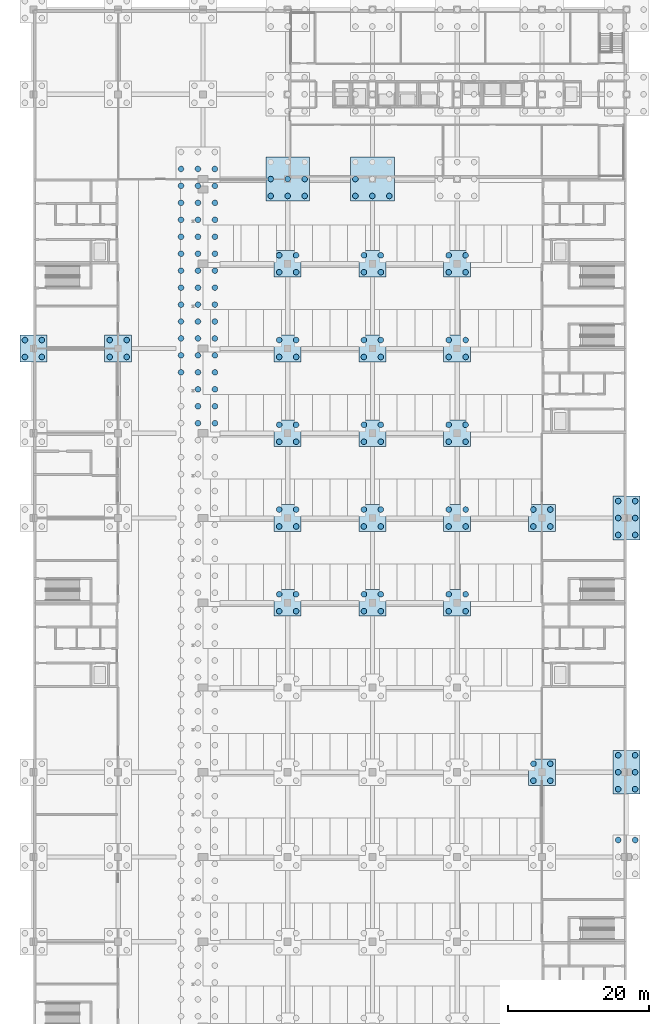
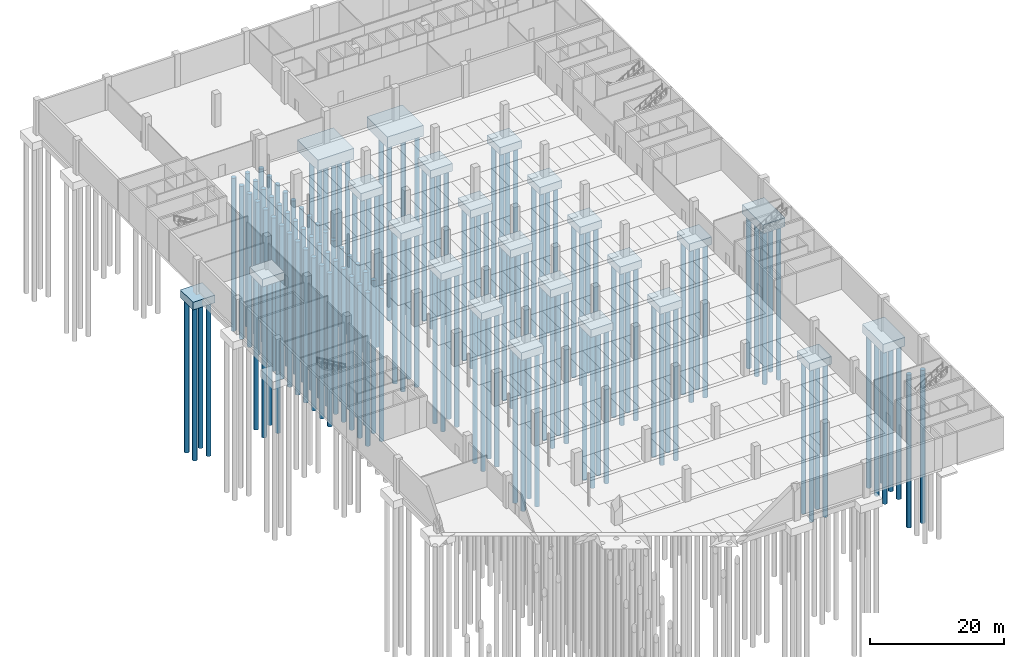
# One storey, part 3 of 34: 145 piles, 23 footings.
"""IFC4 building model written with IfcOpenShell, lengths in metres."""

from ifc_helpers import new_model, si_unit, direction, frame, origin, origin_2d, place, context, subcontext, project, spatial, polyline, circle, outline, extrude, material, layer, layer_set, material_profile, profile_set, type_object, element, save


model = new_model("IFC4")

# Units and contexts
model_context = context("Model", 3, precision=1e-05, world=origin(), true_north=direction((0.0, 1.0)))
body_context = subcontext(model_context, "Body", "Model", "MODEL_VIEW")
ifc_project = project(units=[si_unit("LENGTHUNIT", "METRE"), si_unit("AREAUNIT", "SQUARE_METRE"), si_unit("VOLUMEUNIT", "CUBIC_METRE"), si_unit("PLANEANGLEUNIT", "RADIAN"), si_unit("MASSUNIT", "GRAM", prefix="KILO")], contexts=[model_context])

# Site, building, storey
site_placement = place(None, origin())
site = spatial("IfcSite", under=ifc_project, at=site_placement, CompositionType="ELEMENT")
building_placement = place(site_placement, origin())
building = spatial("IfcBuilding", under=site, at=building_placement, Name="Lilac Gate Convention Centre", CompositionType="ELEMENT")
storey_placement = place(building_placement, frame((0.0, 0.0, -6.0)))
storey = spatial("IfcBuildingStorey", under=building, at=storey_placement, Name="B1", CompositionType="ELEMENT", Elevation=-6.0)

# Piles
ifc_material_1 = material(Name="Concrete C35", Category="concrete")
ifc_material_profile_1 = material_profile(ifc_material_1, circle(Radius=0.39990234375, at=origin_2d()), Name="D800")
ifc_profile_set_1 = profile_set([ifc_material_profile_1], Name="Concrete C35")
pile_type_1 = type_object("IfcPileType", Name="Bored pile D800 L28 C35", PredefinedType="BORED", material=ifc_profile_set_1)
for number, where, z_axis, x_axis, name in (
    (1, (88.800048828125, 128.39990234375, -2.0), (0.0, 0.0, -1.0), (1.0, 0.0, 0.0), "PL1 pile 3 of PC2 at 8/J"),
    (2, (91.199951171875, 128.39990234375, -2.0), (0.0, 0.0, -1.0), (1.0, 0.0, 0.0), "PL1 pile 6 of PC2 at 8/J"),
    (3, (26.89990234375, 194.625, -2.0), (0.0, 0.0, -1.0), (1.0, 0.0, 0.0), "PL1 pile 71 of PC3 at 29.3/126.225"),
    (4, (26.89990234375, 197.02490234375, -2.0), (0.0, 0.0, -1.0), (1.0, 0.0, 0.0), "PL1 pile 72 of PC3 at 29.3/126.225"),
    (5, (26.89990234375, 199.425048828125, -2.0), (0.0, 0.0, -1.0), (1.0, 0.0, 0.0), "PL1 pile 73 of PC3 at 29.3/126.225"),
    (6, (26.89990234375, 201.824951171875, -2.0), (0.0, 0.0, -1.0), (1.0, 0.0, 0.0), "PL1 pile 74 of PC3 at 29.3/126.225"),
    (7, (26.89990234375, 204.22509765625, -2.0), (0.0, 0.0, -1.0), (1.0, 0.0, 0.0), "PL1 pile 75 of PC3 at 29.3/126.225"),
    (8, (26.89990234375, 206.625, -2.0), (0.0, 0.0, -1.0), (1.0, 0.0, 0.0), "PL1 pile 76 of PC3 at 29.3/126.225"),
    (9, (26.89990234375, 209.02490234375, -2.0), (0.0, 0.0, -1.0), (1.0, 0.0, 0.0), "PL1 pile 77 of PC3 at 29.3/126.225"),
    (10, (26.89990234375, 211.425048828125, -2.0), (0.0, 0.0, -1.0), (1.0, 0.0, 0.0), "PL1 pile 78 of PC3 at 29.3/126.225"),
    (11, (26.89990234375, 213.824951171875, -2.0), (0.0, 0.0, -1.0), (1.0, 0.0, 0.0), "PL1 pile 79 of PC3 at 29.3/126.225"),
    (12, (26.89990234375, 216.22509765625, -2.0), (0.0, 0.0, -1.0), (1.0, 0.0, 0.0), "PL1 pile 80 of PC3 at 29.3/126.225"),
    (13, (26.89990234375, 218.625, -2.0), (0.0, 0.0, -1.0), (1.0, 0.0, 0.0), "PL1 pile 81 of PC3 at 29.3/126.225"),
    (14, (26.89990234375, 221.02490234375, -2.0), (0.0, 0.0, -1.0), (1.0, 0.0, 0.0), "PL1 pile 82 of PC3 at 29.3/126.225"),
    (15, (26.89990234375, 223.425048828125, -2.0), (0.0, 0.0, -1.0), (1.0, 0.0, 0.0), "PL1 pile 83 of PC3 at 29.3/126.225"),
    (16, (29.300048828125, 187.425048828125, -2.0), (0.0, 0.0, -1.0), (1.0, 0.0, 0.0), "PL1 pile 152 of PC3 at 29.3/126.225"),
    (17, (29.300048828125, 189.824951171875, -2.0), (0.0, 0.0, -1.0), (1.0, 0.0, 0.0), "PL1 pile 153 of PC3 at 29.3/126.225"),
    (18, (29.300048828125, 192.22509765625, -2.0), (0.0, 0.0, -1.0), (1.0, 0.0, 0.0), "PL1 pile 154 of PC3 at 29.3/126.225"),
    (19, (29.300048828125, 194.625, -2.0), (0.0, 0.0, -1.0), (1.0, 0.0, 0.0), "PL1 pile 155 of PC3 at 29.3/126.225"),
    (20, (29.300048828125, 197.02490234375, -2.0), (0.0, 0.0, -1.0), (1.0, 0.0, 0.0), "PL1 pile 156 of PC3 at 29.3/126.225"),
    (21, (29.300048828125, 199.425048828125, -2.0), (0.0, 0.0, -1.0), (1.0, 0.0, 0.0), "PL1 pile 157 of PC3 at 29.3/126.225"),
    (22, (29.300048828125, 201.824951171875, -2.0), (0.0, 0.0, -1.0), (1.0, 0.0, 0.0), "PL1 pile 158 of PC3 at 29.3/126.225"),
    (23, (29.300048828125, 204.22509765625, -2.0), (0.0, 0.0, -1.0), (1.0, 0.0, 0.0), "PL1 pile 159 of PC3 at 29.3/126.225"),
    (24, (29.300048828125, 206.625, -2.0), (0.0, 0.0, -1.0), (1.0, 0.0, 0.0), "PL1 pile 160 of PC3 at 29.3/126.225"),
    (25, (29.300048828125, 209.02490234375, -2.0), (0.0, 0.0, -1.0), (1.0, 0.0, 0.0), "PL1 pile 161 of PC3 at 29.3/126.225"),
    (26, (29.300048828125, 211.425048828125, -2.0), (0.0, 0.0, -1.0), (1.0, 0.0, 0.0), "PL1 pile 162 of PC3 at 29.3/126.225"),
    (27, (29.300048828125, 213.824951171875, -2.0), (0.0, 0.0, -1.0), (1.0, 0.0, 0.0), "PL1 pile 163 of PC3 at 29.3/126.225"),
    (28, (29.300048828125, 216.22509765625, -2.0), (0.0, 0.0, -1.0), (1.0, 0.0, 0.0), "PL1 pile 164 of PC3 at 29.3/126.225"),
    (29, (29.300048828125, 218.625, -2.0), (0.0, 0.0, -1.0), (1.0, 0.0, 0.0), "PL1 pile 165 of PC3 at 29.3/126.225"),
    (30, (29.300048828125, 221.02490234375, -2.0), (0.0, 0.0, -1.0), (1.0, 0.0, 0.0), "PL1 pile 166 of PC3 at 29.3/126.225"),
    (31, (29.300048828125, 223.425048828125, -2.0), (0.0, 0.0, -1.0), (1.0, 0.0, 0.0), "PL1 pile 167 of PC3 at 29.3/126.225"),
    (32, (31.699951171875, 187.425048828125, -2.0), (0.0, 0.0, -1.0), (1.0, 0.0, 0.0), "PL1 pile 236 of PC3 at 29.3/126.225"),
    (33, (31.699951171875, 189.824951171875, -2.0), (0.0, 0.0, -1.0), (1.0, 0.0, 0.0), "PL1 pile 237 of PC3 at 29.3/126.225"),
    (34, (31.699951171875, 192.22509765625, -2.0), (0.0, 0.0, -1.0), (1.0, 0.0, 0.0), "PL1 pile 238 of PC3 at 29.3/126.225"),
    (35, (31.699951171875, 194.625, -2.0), (0.0, 0.0, -1.0), (1.0, 0.0, 0.0), "PL1 pile 239 of PC3 at 29.3/126.225"),
    (36, (31.699951171875, 197.02490234375, -2.0), (0.0, 0.0, -1.0), (1.0, 0.0, 0.0), "PL1 pile 240 of PC3 at 29.3/126.225"),
    (37, (31.699951171875, 199.425048828125, -2.0), (0.0, 0.0, -1.0), (1.0, 0.0, 0.0), "PL1 pile 241 of PC3 at 29.3/126.225"),
    (38, (31.699951171875, 201.824951171875, -2.0), (0.0, 0.0, -1.0), (1.0, 0.0, 0.0), "PL1 pile 242 of PC3 at 29.3/126.225"),
    (39, (31.699951171875, 204.22509765625, -2.0), (0.0, 0.0, -1.0), (1.0, 0.0, 0.0), "PL1 pile 243 of PC3 at 29.3/126.225"),
    (40, (31.699951171875, 206.625, -2.0), (0.0, 0.0, -1.0), (1.0, 0.0, 0.0), "PL1 pile 244 of PC3 at 29.3/126.225"),
    (41, (31.699951171875, 209.02490234375, -2.0), (0.0, 0.0, -1.0), (1.0, 0.0, 0.0), "PL1 pile 245 of PC3 at 29.3/126.225"),
    (42, (31.699951171875, 211.425048828125, -2.0), (0.0, 0.0, -1.0), (1.0, 0.0, 0.0), "PL1 pile 246 of PC3 at 29.3/126.225"),
    (43, (31.699951171875, 213.824951171875, -2.0), (0.0, 0.0, -1.0), (1.0, 0.0, 0.0), "PL1 pile 247 of PC3 at 29.3/126.225"),
    (44, (31.699951171875, 216.22509765625, -2.0), (0.0, 0.0, -1.0), (1.0, 0.0, 0.0), "PL1 pile 248 of PC3 at 29.3/126.225"),
    (45, (31.699951171875, 218.625, -2.0), (0.0, 0.0, -1.0), (1.0, 0.0, 0.0), "PL1 pile 249 of PC3 at 29.3/126.225"),
    (46, (31.699951171875, 221.02490234375, -2.0), (0.0, 0.0, -1.0), (1.0, 0.0, 0.0), "PL1 pile 250 of PC3 at 29.3/126.225"),
    (47, (31.699951171875, 223.425048828125, -2.0), (0.0, 0.0, -1.0), (1.0, 0.0, 0.0), "PL1 pile 251 of PC3 at 29.3/126.225"),
    (48, (76.800048828125, 136.800048828125, -1.800048828125), (0.0, 0.0, -1.0), (1.0, 0.0, 0.0), "PL1 pile 1 of PC1 at 7/K"),
    (49, (76.800048828125, 139.199951171875, -1.800048828125), (0.0, 0.0, -1.0), (1.0, 0.0, 0.0), "PL1 pile 2 of PC1 at 7/K"),
    (50, (79.199951171875, 136.800048828125, -1.800048828125), (0.0, 0.0, -1.0), (1.0, 0.0, 0.0), "PL1 pile 3 of PC1 at 7/K"),
    (51, (79.199951171875, 139.199951171875, -1.800048828125), (0.0, 0.0, -1.0), (1.0, 0.0, 0.0), "PL1 pile 4 of PC1 at 7/K"),
    (52, (88.800048828125, 135.60009765625, -2.0), (0.0, 0.0, -1.0), (1.0, 0.0, 0.0), "PL1 pile 1 of PC2 at 8/K"),
    (53, (88.800048828125, 138.0, -2.0), (0.0, 0.0, -1.0), (1.0, 0.0, 0.0), "PL1 pile 2 of PC2 at 8/K"),
    (54, (88.800048828125, 140.39990234375, -2.0), (0.0, 0.0, -1.0), (1.0, 0.0, 0.0), "PL1 pile 3 of PC2 at 8/K"),
    (55, (91.199951171875, 135.60009765625, -2.0), (0.0, 0.0, -1.0), (1.0, 0.0, 0.0), "PL1 pile 4 of PC2 at 8/K"),
    (56, (91.199951171875, 138.0, -2.0), (0.0, 0.0, -1.0), (1.0, 0.0, 0.0), "PL1 pile 5 of PC2 at 8/K"),
    (57, (91.199951171875, 140.39990234375, -2.0), (0.0, 0.0, -1.0), (1.0, 0.0, 0.0), "PL1 pile 6 of PC2 at 8/K"),
    (58, (40.800048828125, 160.800048828125, -1.800048828125), (0.0, 0.0, -1.0), (1.0, 0.0, 0.0), "PL1 pile 1 of PC1 at 4/M"),
    (59, (40.800048828125, 163.199951171875, -1.800048828125), (0.0, 0.0, -1.0), (1.0, 0.0, 0.0), "PL1 pile 2 of PC1 at 4/M"),
    (60, (43.199951171875, 160.800048828125, -1.800048828125), (0.0, 0.0, -1.0), (1.0, 0.0, 0.0), "PL1 pile 3 of PC1 at 4/M"),
    (61, (43.199951171875, 163.199951171875, -1.800048828125), (0.0, 0.0, -1.0), (1.0, 0.0, 0.0), "PL1 pile 4 of PC1 at 4/M"),
    (62, (52.800048828125, 160.800048828125, -1.800048828125), (0.0, 0.0, -1.0), (1.0, 0.0, 0.0), "PL1 pile 1 of PC1 at 5/M"),
    (63, (52.800048828125, 163.199951171875, -1.800048828125), (0.0, 0.0, -1.0), (1.0, 0.0, 0.0), "PL1 pile 2 of PC1 at 5/M"),
    (64, (55.199951171875, 160.800048828125, -1.800048828125), (0.0, 0.0, -1.0), (1.0, 0.0, 0.0), "PL1 pile 3 of PC1 at 5/M"),
    (65, (55.199951171875, 163.199951171875, -1.800048828125), (0.0, 0.0, -1.0), (1.0, 0.0, 0.0), "PL1 pile 4 of PC1 at 5/M"),
    (66, (64.800048828125, 160.800048828125, -1.800048828125), (0.0, 0.0, -1.0), (1.0, 0.0, 0.0), "PL1 pile 1 of PC1 at 6/M"),
    (67, (64.800048828125, 163.199951171875, -1.800048828125), (0.0, 0.0, -1.0), (1.0, 0.0, 0.0), "PL1 pile 2 of PC1 at 6/M"),
    (68, (67.199951171875, 160.800048828125, -1.800048828125), (0.0, 0.0, -1.0), (1.0, 0.0, 0.0), "PL1 pile 3 of PC1 at 6/M"),
    (69, (67.199951171875, 163.199951171875, -1.800048828125), (0.0, 0.0, -1.0), (1.0, 0.0, 0.0), "PL1 pile 4 of PC1 at 6/M"),
    (70, (40.800048828125, 172.800048828125, -1.800048828125), (0.0, 0.0, -1.0), (1.0, 0.0, 0.0), "PL1 pile 1 of PC1 at 4/N"),
    (71, (40.800048828125, 175.199951171875, -1.800048828125), (0.0, 0.0, -1.0), (1.0, 0.0, 0.0), "PL1 pile 2 of PC1 at 4/N"),
    (72, (43.199951171875, 172.800048828125, -1.800048828125), (0.0, 0.0, -1.0), (1.0, 0.0, 0.0), "PL1 pile 3 of PC1 at 4/N"),
    (73, (43.199951171875, 175.199951171875, -1.800048828125), (0.0, 0.0, -1.0), (1.0, 0.0, 0.0), "PL1 pile 4 of PC1 at 4/N"),
    (74, (52.800048828125, 172.800048828125, -1.800048828125), (0.0, 0.0, -1.0), (1.0, 0.0, 0.0), "PL1 pile 1 of PC1 at 5/N"),
    (75, (52.800048828125, 175.199951171875, -1.800048828125), (0.0, 0.0, -1.0), (1.0, 0.0, 0.0), "PL1 pile 2 of PC1 at 5/N"),
    (76, (55.199951171875, 172.800048828125, -1.800048828125), (0.0, 0.0, -1.0), (1.0, 0.0, 0.0), "PL1 pile 3 of PC1 at 5/N"),
    (77, (55.199951171875, 175.199951171875, -1.800048828125), (0.0, 0.0, -1.0), (1.0, 0.0, 0.0), "PL1 pile 4 of PC1 at 5/N"),
    (78, (64.800048828125, 172.800048828125, -1.800048828125), (0.0, 0.0, -1.0), (1.0, 0.0, 0.0), "PL1 pile 1 of PC1 at 6/N"),
    (79, (64.800048828125, 175.199951171875, -1.800048828125), (0.0, 0.0, -1.0), (1.0, 0.0, 0.0), "PL1 pile 2 of PC1 at 6/N"),
    (80, (67.199951171875, 172.800048828125, -1.800048828125), (0.0, 0.0, -1.0), (1.0, 0.0, 0.0), "PL1 pile 3 of PC1 at 6/N"),
    (81, (67.199951171875, 175.199951171875, -1.800048828125), (0.0, 0.0, -1.0), (1.0, 0.0, 0.0), "PL1 pile 4 of PC1 at 6/N"),
    (82, (76.800048828125, 172.800048828125, -1.800048828125), (0.0, 0.0, -1.0), (1.0, 0.0, 0.0), "PL1 pile 1 of PC1 at 7/N"),
    (83, (76.800048828125, 175.199951171875, -1.800048828125), (0.0, 0.0, -1.0), (1.0, 0.0, 0.0), "PL1 pile 2 of PC1 at 7/N"),
    (84, (79.199951171875, 172.800048828125, -1.800048828125), (0.0, 0.0, -1.0), (1.0, 0.0, 0.0), "PL1 pile 3 of PC1 at 7/N"),
    (85, (79.199951171875, 175.199951171875, -1.800048828125), (0.0, 0.0, -1.0), (1.0, 0.0, 0.0), "PL1 pile 4 of PC1 at 7/N"),
    (86, (88.800048828125, 171.60009765625, -2.0), (0.0, 0.0, -1.0), (1.0, 0.0, 0.0), "PL1 pile 1 of PC2 at 8/N"),
    (87, (88.800048828125, 174.0, -2.0), (0.0, 0.0, -1.0), (1.0, 0.0, 0.0), "PL1 pile 2 of PC2 at 8/N"),
    (88, (88.800048828125, 176.39990234375, -2.0), (0.0, 0.0, -1.0), (1.0, 0.0, 0.0), "PL1 pile 3 of PC2 at 8/N"),
    (89, (91.199951171875, 171.60009765625, -2.0), (0.0, 0.0, -1.0), (1.0, 0.0, 0.0), "PL1 pile 4 of PC2 at 8/N"),
    (90, (91.199951171875, 174.0, -2.0), (0.0, 0.0, -1.0), (1.0, 0.0, 0.0), "PL1 pile 5 of PC2 at 8/N"),
    (91, (91.199951171875, 176.39990234375, -2.0), (0.0, 0.0, -1.0), (1.0, 0.0, 0.0), "PL1 pile 6 of PC2 at 8/N"),
    (92, (40.800048828125, 184.800048828125, -1.800048828125), (0.0, 0.0, -1.0), (1.0, 0.0, 0.0), "PL1 pile 1 of PC1 at 4/P"),
    (93, (40.800048828125, 187.199951171875, -1.800048828125), (0.0, 0.0, -1.0), (1.0, 0.0, 0.0), "PL1 pile 2 of PC1 at 4/P"),
    (94, (43.199951171875, 184.800048828125, -1.800048828125), (0.0, 0.0, -1.0), (1.0, 0.0, 0.0), "PL1 pile 3 of PC1 at 4/P"),
    (95, (43.199951171875, 187.199951171875, -1.800048828125), (0.0, 0.0, -1.0), (1.0, 0.0, 0.0), "PL1 pile 4 of PC1 at 4/P"),
    (96, (52.800048828125, 184.800048828125, -1.800048828125), (0.0, 0.0, -1.0), (1.0, 0.0, 0.0), "PL1 pile 1 of PC1 at 5/P"),
    (97, (52.800048828125, 187.199951171875, -1.800048828125), (0.0, 0.0, -1.0), (1.0, 0.0, 0.0), "PL1 pile 2 of PC1 at 5/P"),
    (98, (55.199951171875, 184.800048828125, -1.800048828125), (0.0, 0.0, -1.0), (1.0, 0.0, 0.0), "PL1 pile 3 of PC1 at 5/P"),
    (99, (55.199951171875, 187.199951171875, -1.800048828125), (0.0, 0.0, -1.0), (1.0, 0.0, 0.0), "PL1 pile 4 of PC1 at 5/P"),
    (100, (64.800048828125, 184.800048828125, -1.800048828125), (0.0, 0.0, -1.0), (1.0, 0.0, 0.0), "PL1 pile 1 of PC1 at 6/P"),
    (101, (64.800048828125, 187.199951171875, -1.800048828125), (0.0, 0.0, -1.0), (1.0, 0.0, 0.0), "PL1 pile 2 of PC1 at 6/P"),
    (102, (67.199951171875, 184.800048828125, -1.800048828125), (0.0, 0.0, -1.0), (1.0, 0.0, 0.0), "PL1 pile 3 of PC1 at 6/P"),
    (103, (67.199951171875, 187.199951171875, -1.800048828125), (0.0, 0.0, -1.0), (1.0, 0.0, 0.0), "PL1 pile 4 of PC1 at 6/P"),
    (104, (4.800048828125, 196.800048828125, -1.800048828125), (0.0, 0.0, -1.0), (1.0, 0.0, 0.0), "PL1 pile 1 of PC1 at 1/Q"),
    (105, (4.800048828125, 199.199951171875, -1.800048828125), (0.0, 0.0, -1.0), (1.0, 0.0, 0.0), "PL1 pile 2 of PC1 at 1/Q"),
    (106, (7.199951171875, 196.800048828125, -1.800048828125), (0.0, 0.0, -1.0), (1.0, 0.0, 0.0), "PL1 pile 3 of PC1 at 1/Q"),
    (107, (7.199951171875, 199.199951171875, -1.800048828125), (0.0, 0.0, -1.0), (1.0, 0.0, 0.0), "PL1 pile 4 of PC1 at 1/Q"),
    (108, (16.800048828125, 196.800048828125, -1.800048828125), (0.0, 0.0, -1.0), (1.0, 0.0, 0.0), "PL1 pile 1 of PC1 at 2/Q"),
    (109, (16.800048828125, 199.199951171875, -1.800048828125), (0.0, 0.0, -1.0), (1.0, 0.0, 0.0), "PL1 pile 2 of PC1 at 2/Q"),
    (110, (19.199951171875, 196.800048828125, -1.800048828125), (0.0, 0.0, -1.0), (1.0, 0.0, 0.0), "PL1 pile 3 of PC1 at 2/Q"),
    (111, (19.199951171875, 199.199951171875, -1.800048828125), (0.0, 0.0, -1.0), (1.0, 0.0, 0.0), "PL1 pile 4 of PC1 at 2/Q"),
    (112, (40.800048828125, 196.800048828125, -1.800048828125), (0.0, 0.0, -1.0), (1.0, 0.0, 0.0), "PL1 pile 1 of PC1 at 4/Q"),
    (113, (40.800048828125, 199.199951171875, -1.800048828125), (0.0, 0.0, -1.0), (1.0, 0.0, 0.0), "PL1 pile 2 of PC1 at 4/Q"),
    (114, (43.199951171875, 196.800048828125, -1.800048828125), (0.0, 0.0, -1.0), (1.0, 0.0, 0.0), "PL1 pile 3 of PC1 at 4/Q"),
    (115, (43.199951171875, 199.199951171875, -1.800048828125), (0.0, 0.0, -1.0), (1.0, 0.0, 0.0), "PL1 pile 4 of PC1 at 4/Q"),
    (116, (52.800048828125, 196.800048828125, -1.800048828125), (0.0, 0.0, -1.0), (1.0, 0.0, 0.0), "PL1 pile 1 of PC1 at 5/Q"),
    (117, (52.800048828125, 199.199951171875, -1.800048828125), (0.0, 0.0, -1.0), (1.0, 0.0, 0.0), "PL1 pile 2 of PC1 at 5/Q"),
    (118, (55.199951171875, 196.800048828125, -1.800048828125), (0.0, 0.0, -1.0), (1.0, 0.0, 0.0), "PL1 pile 3 of PC1 at 5/Q"),
    (119, (55.199951171875, 199.199951171875, -1.800048828125), (0.0, 0.0, -1.0), (1.0, 0.0, 0.0), "PL1 pile 4 of PC1 at 5/Q"),
    (120, (64.800048828125, 196.800048828125, -1.800048828125), (0.0, 0.0, -1.0), (1.0, 0.0, 0.0), "PL1 pile 1 of PC1 at 6/Q"),
    (121, (64.800048828125, 199.199951171875, -1.800048828125), (0.0, 0.0, -1.0), (1.0, 0.0, 0.0), "PL1 pile 2 of PC1 at 6/Q"),
    (122, (67.199951171875, 196.800048828125, -1.800048828125), (0.0, 0.0, -1.0), (1.0, 0.0, 0.0), "PL1 pile 3 of PC1 at 6/Q"),
    (123, (67.199951171875, 199.199951171875, -1.800048828125), (0.0, 0.0, -1.0), (1.0, 0.0, 0.0), "PL1 pile 4 of PC1 at 6/Q"),
    (124, (40.800048828125, 208.800048828125, -1.800048828125), (0.0, 0.0, -1.0), (1.0, 0.0, 0.0), "PL1 pile 1 of PC1 at 4/R"),
    (125, (40.800048828125, 211.199951171875, -1.800048828125), (0.0, 0.0, -1.0), (1.0, 0.0, 0.0), "PL1 pile 2 of PC1 at 4/R"),
    (126, (43.199951171875, 208.800048828125, -1.800048828125), (0.0, 0.0, -1.0), (1.0, 0.0, 0.0), "PL1 pile 3 of PC1 at 4/R"),
    (127, (43.199951171875, 211.199951171875, -1.800048828125), (0.0, 0.0, -1.0), (1.0, 0.0, 0.0), "PL1 pile 4 of PC1 at 4/R"),
    (128, (52.800048828125, 208.800048828125, -1.800048828125), (0.0, 0.0, -1.0), (1.0, 0.0, 0.0), "PL1 pile 1 of PC1 at 5/R"),
    (129, (52.800048828125, 211.199951171875, -1.800048828125), (0.0, 0.0, -1.0), (1.0, 0.0, 0.0), "PL1 pile 2 of PC1 at 5/R"),
    (130, (55.199951171875, 208.800048828125, -1.800048828125), (0.0, 0.0, -1.0), (1.0, 0.0, 0.0), "PL1 pile 3 of PC1 at 5/R"),
    (131, (55.199951171875, 211.199951171875, -1.800048828125), (0.0, 0.0, -1.0), (1.0, 0.0, 0.0), "PL1 pile 4 of PC1 at 5/R"),
    (132, (64.800048828125, 208.800048828125, -1.800048828125), (0.0, 0.0, -1.0), (1.0, 0.0, 0.0), "PL1 pile 1 of PC1 at 6/R"),
    (133, (64.800048828125, 211.199951171875, -1.800048828125), (0.0, 0.0, -1.0), (1.0, 0.0, 0.0), "PL1 pile 2 of PC1 at 6/R"),
    (134, (67.199951171875, 208.800048828125, -1.800048828125), (0.0, 0.0, -1.0), (1.0, 0.0, 0.0), "PL1 pile 3 of PC1 at 6/R"),
    (135, (67.199951171875, 211.199951171875, -1.800048828125), (0.0, 0.0, -1.0), (1.0, 0.0, 0.0), "PL1 pile 4 of PC1 at 6/R"),
):
    element("IfcPile", number, at=place(storey_placement, frame(where, z_axis=z_axis, x_axis=x_axis)), inside=storey, type_object=pile_type_1, Name=name, PredefinedType="BORED", context=body_context, shape_type="SweptSolid", body=[
        extrude(circle(Radius=0.39990234375, at=origin_2d()), origin(), (0.0, 0.0, 1.0), 28.0),
    ])
ifc_material_profile_2 = material_profile(ifc_material_1, circle(Radius=0.39990234375, at=origin_2d()), Name="D800")
ifc_profile_set_2 = profile_set([ifc_material_profile_2], Name="Concrete C35")
pile_type_2 = type_object("IfcPileType", Name="Bored pile D800 L32 C35", PredefinedType="BORED", material=ifc_profile_set_2)
for number, where, z_axis, x_axis, name in (
    (136, (39.60009765625, 219.60009765625, -2.39990234375), (0.0, 0.0, -1.0), (1.0, 0.0, 0.0), "PL2 pile 1 of PC4 at 4/S"),
    (137, (39.60009765625, 222.0, -2.39990234375), (0.0, 0.0, -1.0), (1.0, 0.0, 0.0), "PL2 pile 2 of PC4 at 4/S"),
    (138, (42.0, 219.60009765625, -2.39990234375), (0.0, 0.0, -1.0), (1.0, 0.0, 0.0), "PL2 pile 4 of PC4 at 4/S"),
    (139, (42.0, 222.0, -2.39990234375), (0.0, 0.0, -1.0), (1.0, 0.0, 0.0), "PL2 pile 5 of PC4 at 4/S"),
    (140, (44.39990234375, 219.60009765625, -2.39990234375), (0.0, 0.0, -1.0), (1.0, 0.0, 0.0), "PL2 pile 7 of PC4 at 4/S"),
    (141, (44.39990234375, 222.0, -2.39990234375), (0.0, 0.0, -1.0), (1.0, 0.0, 0.0), "PL2 pile 8 of PC4 at 4/S"),
    (142, (51.60009765625, 219.60009765625, -2.39990234375), (0.0, 0.0, -1.0), (1.0, 0.0, 0.0), "PL2 pile 1 of PC4 at 5/S"),
    (143, (51.60009765625, 222.0, -2.39990234375), (0.0, 0.0, -1.0), (1.0, 0.0, 0.0), "PL2 pile 2 of PC4 at 5/S"),
    (144, (54.0, 219.60009765625, -2.39990234375), (0.0, 0.0, -1.0), (1.0, 0.0, 0.0), "PL2 pile 4 of PC4 at 5/S"),
    (145, (56.39990234375, 219.60009765625, -2.39990234375), (0.0, 0.0, -1.0), (1.0, 0.0, 0.0), "PL2 pile 7 of PC4 at 5/S"),
):
    element("IfcPile", number, at=place(storey_placement, frame(where, z_axis=z_axis, x_axis=x_axis)), inside=storey, type_object=pile_type_2, Name=name, PredefinedType="BORED", context=body_context, shape_type="SweptSolid", body=[
        extrude(circle(Radius=0.39990234375, at=origin_2d()), origin(), (0.0, 0.0, 1.0), 32.0),
    ])

# Footings
ifc_material_2 = material(Name="Concrete C40", Category="concrete")
ifc_layer_1 = layer(ifc_material_2, 1.39990234375)
ifc_layer_set_1 = layer_set([ifc_layer_1], Name="Concrete C40")
footing_type_1 = type_object("IfcFootingType", Name="Pile cap 2x2 piles 1400 C40", PredefinedType="PILE_CAP", material=ifc_layer_set_1)
footing_1_placement = place(storey_placement, frame((0.0, 0.0, -1.800048828125)))
element("IfcFooting", 146, at=footing_1_placement, inside=storey, type_object=footing_type_1, Name="PC1 pile cap at 7/K", PredefinedType="PILE_CAP", context=body_context, shape_type="SweptSolid", body=[
    extrude(outline(polyline([(76.10009765625, 136.10009765625), (79.89990234375, 136.10009765625), (79.89990234375, 139.89990234375), (76.10009765625, 139.89990234375), (76.10009765625, 136.10009765625)])), origin(), (0.0, 0.0, 1.0), 1.400146484375),
])
footing_2_placement = place(storey_placement, frame((0.0, 0.0, -1.800048828125)))
element("IfcFooting", 147, at=footing_2_placement, inside=storey, type_object=footing_type_1, Name="PC1 pile cap at 4/M", PredefinedType="PILE_CAP", context=body_context, shape_type="SweptSolid", body=[
    extrude(outline(polyline([(40.10009765625, 160.10009765625), (43.89990234375, 160.10009765625), (43.89990234375, 163.89990234375), (40.10009765625, 163.89990234375), (40.10009765625, 160.10009765625)])), origin(), (0.0, 0.0, 1.0), 1.400146484375),
])
footing_3_placement = place(storey_placement, frame((0.0, 0.0, -1.800048828125)))
element("IfcFooting", 148, at=footing_3_placement, inside=storey, type_object=footing_type_1, Name="PC1 pile cap at 5/M", PredefinedType="PILE_CAP", context=body_context, shape_type="SweptSolid", body=[
    extrude(outline(polyline([(52.10009765625, 160.10009765625), (55.89990234375, 160.10009765625), (55.89990234375, 163.89990234375), (52.10009765625, 163.89990234375), (52.10009765625, 160.10009765625)])), origin(), (0.0, 0.0, 1.0), 1.400146484375),
])
footing_4_placement = place(storey_placement, frame((0.0, 0.0, -1.800048828125)))
element("IfcFooting", 149, at=footing_4_placement, inside=storey, type_object=footing_type_1, Name="PC1 pile cap at 6/M", PredefinedType="PILE_CAP", context=body_context, shape_type="SweptSolid", body=[
    extrude(outline(polyline([(64.10009765625, 160.10009765625), (67.89990234375, 160.10009765625), (67.89990234375, 163.89990234375), (64.10009765625, 163.89990234375), (64.10009765625, 160.10009765625)])), origin(), (0.0, 0.0, 1.0), 1.400146484375),
])
footing_5_placement = place(storey_placement, frame((0.0, 0.0, -1.800048828125)))
element("IfcFooting", 150, at=footing_5_placement, inside=storey, type_object=footing_type_1, Name="PC1 pile cap at 4/N", PredefinedType="PILE_CAP", context=body_context, shape_type="SweptSolid", body=[
    extrude(outline(polyline([(40.10009765625, 172.10009765625), (43.89990234375, 172.10009765625), (43.89990234375, 175.89990234375), (40.10009765625, 175.89990234375), (40.10009765625, 172.10009765625)])), origin(), (0.0, 0.0, 1.0), 1.400146484375),
])
footing_6_placement = place(storey_placement, frame((0.0, 0.0, -1.800048828125)))
element("IfcFooting", 151, at=footing_6_placement, inside=storey, type_object=footing_type_1, Name="PC1 pile cap at 5/N", PredefinedType="PILE_CAP", context=body_context, shape_type="SweptSolid", body=[
    extrude(outline(polyline([(52.10009765625, 172.10009765625), (55.89990234375, 172.10009765625), (55.89990234375, 175.89990234375), (52.10009765625, 175.89990234375), (52.10009765625, 172.10009765625)])), origin(), (0.0, 0.0, 1.0), 1.400146484375),
])
footing_7_placement = place(storey_placement, frame((0.0, 0.0, -1.800048828125)))
element("IfcFooting", 152, at=footing_7_placement, inside=storey, type_object=footing_type_1, Name="PC1 pile cap at 6/N", PredefinedType="PILE_CAP", context=body_context, shape_type="SweptSolid", body=[
    extrude(outline(polyline([(64.10009765625, 172.10009765625), (67.89990234375, 172.10009765625), (67.89990234375, 175.89990234375), (64.10009765625, 175.89990234375), (64.10009765625, 172.10009765625)])), origin(), (0.0, 0.0, 1.0), 1.400146484375),
])
footing_8_placement = place(storey_placement, frame((0.0, 0.0, -1.800048828125)))
element("IfcFooting", 153, at=footing_8_placement, inside=storey, type_object=footing_type_1, Name="PC1 pile cap at 7/N", PredefinedType="PILE_CAP", context=body_context, shape_type="SweptSolid", body=[
    extrude(outline(polyline([(76.10009765625, 172.10009765625), (79.89990234375, 172.10009765625), (79.89990234375, 175.89990234375), (76.10009765625, 175.89990234375), (76.10009765625, 172.10009765625)])), origin(), (0.0, 0.0, 1.0), 1.400146484375),
])
footing_9_placement = place(storey_placement, frame((0.0, 0.0, -1.800048828125)))
element("IfcFooting", 154, at=footing_9_placement, inside=storey, type_object=footing_type_1, Name="PC1 pile cap at 4/P", PredefinedType="PILE_CAP", context=body_context, shape_type="SweptSolid", body=[
    extrude(outline(polyline([(40.10009765625, 184.10009765625), (43.89990234375, 184.10009765625), (43.89990234375, 187.89990234375), (40.10009765625, 187.89990234375), (40.10009765625, 184.10009765625)])), origin(), (0.0, 0.0, 1.0), 1.400146484375),
])
footing_10_placement = place(storey_placement, frame((0.0, 0.0, -1.800048828125)))
element("IfcFooting", 155, at=footing_10_placement, inside=storey, type_object=footing_type_1, Name="PC1 pile cap at 5/P", PredefinedType="PILE_CAP", context=body_context, shape_type="SweptSolid", body=[
    extrude(outline(polyline([(52.10009765625, 184.10009765625), (55.89990234375, 184.10009765625), (55.89990234375, 187.89990234375), (52.10009765625, 187.89990234375), (52.10009765625, 184.10009765625)])), origin(), (0.0, 0.0, 1.0), 1.400146484375),
])
footing_11_placement = place(storey_placement, frame((0.0, 0.0, -1.800048828125)))
element("IfcFooting", 156, at=footing_11_placement, inside=storey, type_object=footing_type_1, Name="PC1 pile cap at 6/P", PredefinedType="PILE_CAP", context=body_context, shape_type="SweptSolid", body=[
    extrude(outline(polyline([(64.10009765625, 184.10009765625), (67.89990234375, 184.10009765625), (67.89990234375, 187.89990234375), (64.10009765625, 187.89990234375), (64.10009765625, 184.10009765625)])), origin(), (0.0, 0.0, 1.0), 1.400146484375),
])
footing_12_placement = place(storey_placement, frame((0.0, 0.0, -1.800048828125)))
element("IfcFooting", 157, at=footing_12_placement, inside=storey, type_object=footing_type_1, Name="PC1 pile cap at 1/Q", PredefinedType="PILE_CAP", context=body_context, shape_type="SweptSolid", body=[
    extrude(outline(polyline([(4.10009765625, 196.10009765625), (7.89990234375, 196.10009765625), (7.89990234375, 199.89990234375), (4.10009765625, 199.89990234375), (4.10009765625, 196.10009765625)])), origin(), (0.0, 0.0, 1.0), 1.400146484375),
])
footing_13_placement = place(storey_placement, frame((0.0, 0.0, -1.800048828125)))
element("IfcFooting", 158, at=footing_13_placement, inside=storey, type_object=footing_type_1, Name="PC1 pile cap at 2/Q", PredefinedType="PILE_CAP", context=body_context, shape_type="SweptSolid", body=[
    extrude(outline(polyline([(16.10009765625, 196.10009765625), (19.89990234375, 196.10009765625), (19.89990234375, 199.89990234375), (16.10009765625, 199.89990234375), (16.10009765625, 196.10009765625)])), origin(), (0.0, 0.0, 1.0), 1.400146484375),
])
footing_14_placement = place(storey_placement, frame((0.0, 0.0, -1.800048828125)))
element("IfcFooting", 159, at=footing_14_placement, inside=storey, type_object=footing_type_1, Name="PC1 pile cap at 4/Q", PredefinedType="PILE_CAP", context=body_context, shape_type="SweptSolid", body=[
    extrude(outline(polyline([(40.10009765625, 196.10009765625), (43.89990234375, 196.10009765625), (43.89990234375, 199.89990234375), (40.10009765625, 199.89990234375), (40.10009765625, 196.10009765625)])), origin(), (0.0, 0.0, 1.0), 1.400146484375),
])
footing_15_placement = place(storey_placement, frame((0.0, 0.0, -1.800048828125)))
element("IfcFooting", 160, at=footing_15_placement, inside=storey, type_object=footing_type_1, Name="PC1 pile cap at 5/Q", PredefinedType="PILE_CAP", context=body_context, shape_type="SweptSolid", body=[
    extrude(outline(polyline([(52.10009765625, 196.10009765625), (55.89990234375, 196.10009765625), (55.89990234375, 199.89990234375), (52.10009765625, 199.89990234375), (52.10009765625, 196.10009765625)])), origin(), (0.0, 0.0, 1.0), 1.400146484375),
])
footing_16_placement = place(storey_placement, frame((0.0, 0.0, -1.800048828125)))
element("IfcFooting", 161, at=footing_16_placement, inside=storey, type_object=footing_type_1, Name="PC1 pile cap at 6/Q", PredefinedType="PILE_CAP", context=body_context, shape_type="SweptSolid", body=[
    extrude(outline(polyline([(64.10009765625, 196.10009765625), (67.89990234375, 196.10009765625), (67.89990234375, 199.89990234375), (64.10009765625, 199.89990234375), (64.10009765625, 196.10009765625)])), origin(), (0.0, 0.0, 1.0), 1.400146484375),
])
footing_17_placement = place(storey_placement, frame((0.0, 0.0, -1.800048828125)))
element("IfcFooting", 162, at=footing_17_placement, inside=storey, type_object=footing_type_1, Name="PC1 pile cap at 4/R", PredefinedType="PILE_CAP", context=body_context, shape_type="SweptSolid", body=[
    extrude(outline(polyline([(40.10009765625, 208.10009765625), (43.89990234375, 208.10009765625), (43.89990234375, 211.89990234375), (40.10009765625, 211.89990234375), (40.10009765625, 208.10009765625)])), origin(), (0.0, 0.0, 1.0), 1.400146484375),
])
footing_18_placement = place(storey_placement, frame((0.0, 0.0, -1.800048828125)))
element("IfcFooting", 163, at=footing_18_placement, inside=storey, type_object=footing_type_1, Name="PC1 pile cap at 5/R", PredefinedType="PILE_CAP", context=body_context, shape_type="SweptSolid", body=[
    extrude(outline(polyline([(52.10009765625, 208.10009765625), (55.89990234375, 208.10009765625), (55.89990234375, 211.89990234375), (52.10009765625, 211.89990234375), (52.10009765625, 208.10009765625)])), origin(), (0.0, 0.0, 1.0), 1.400146484375),
])
footing_19_placement = place(storey_placement, frame((0.0, 0.0, -1.800048828125)))
element("IfcFooting", 164, at=footing_19_placement, inside=storey, type_object=footing_type_1, Name="PC1 pile cap at 6/R", PredefinedType="PILE_CAP", context=body_context, shape_type="SweptSolid", body=[
    extrude(outline(polyline([(64.10009765625, 208.10009765625), (67.89990234375, 208.10009765625), (67.89990234375, 211.89990234375), (64.10009765625, 211.89990234375), (64.10009765625, 208.10009765625)])), origin(), (0.0, 0.0, 1.0), 1.400146484375),
])
ifc_layer_2 = layer(ifc_material_2, 1.60009765625)
ifc_layer_set_2 = layer_set([ifc_layer_2], Name="Concrete C40")
footing_type_2 = type_object("IfcFootingType", Name="Pile cap 2x3 piles 1600 C40", PredefinedType="PILE_CAP", material=ifc_layer_set_2)
footing_20_placement = place(storey_placement, frame((0.0, 0.0, -2.0)))
element("IfcFooting", 165, at=footing_20_placement, inside=storey, type_object=footing_type_2, Name="PC2 pile cap at 8/K", PredefinedType="PILE_CAP", context=body_context, shape_type="SweptSolid", body=[
    extrude(outline(polyline([(88.10009765625, 134.89990234375), (91.89990234375, 134.89990234375), (91.89990234375, 141.10009765625), (88.10009765625, 141.10009765625), (88.10009765625, 134.89990234375)])), origin(), (0.0, 0.0, 1.0), 1.60009765625),
])
footing_21_placement = place(storey_placement, frame((0.0, 0.0, -2.0)))
element("IfcFooting", 166, at=footing_21_placement, inside=storey, type_object=footing_type_2, Name="PC2 pile cap at 8/N", PredefinedType="PILE_CAP", context=body_context, shape_type="SweptSolid", body=[
    extrude(outline(polyline([(88.10009765625, 170.89990234375), (91.89990234375, 170.89990234375), (91.89990234375, 177.10009765625), (88.10009765625, 177.10009765625), (88.10009765625, 170.89990234375)])), origin(), (0.0, 0.0, 1.0), 1.60009765625),
])
ifc_layer_3 = layer(ifc_material_2, 2.0)
ifc_layer_set_3 = layer_set([ifc_layer_3], Name="Concrete C40")
footing_type_3 = type_object("IfcFootingType", Name="Pile cap 3x3 piles 2000 C40", PredefinedType="PILE_CAP", material=ifc_layer_set_3)
footing_22_placement = place(storey_placement, frame((0.0, 0.0, -2.39990234375)))
element("IfcFooting", 167, at=footing_22_placement, inside=storey, type_object=footing_type_3, Name="PC4 pile cap at 4/S", PredefinedType="PILE_CAP", context=body_context, shape_type="SweptSolid", body=[
    extrude(outline(polyline([(38.89990234375, 218.89990234375), (45.10009765625, 218.89990234375), (45.10009765625, 225.10009765625), (38.89990234375, 225.10009765625), (38.89990234375, 218.89990234375)])), origin(), (0.0, 0.0, 1.0), 2.0),
])
footing_23_placement = place(storey_placement, frame((0.0, 0.0, -2.39990234375)))
element("IfcFooting", 168, at=footing_23_placement, inside=storey, type_object=footing_type_3, Name="PC4 pile cap at 5/S", PredefinedType="PILE_CAP", context=body_context, shape_type="SweptSolid", body=[
    extrude(outline(polyline([(50.89990234375, 218.89990234375), (57.10009765625, 218.89990234375), (57.10009765625, 225.10009765625), (50.89990234375, 225.10009765625), (50.89990234375, 218.89990234375)])), origin(), (0.0, 0.0, 1.0), 2.0),
])

save(model, "model.ifc")
